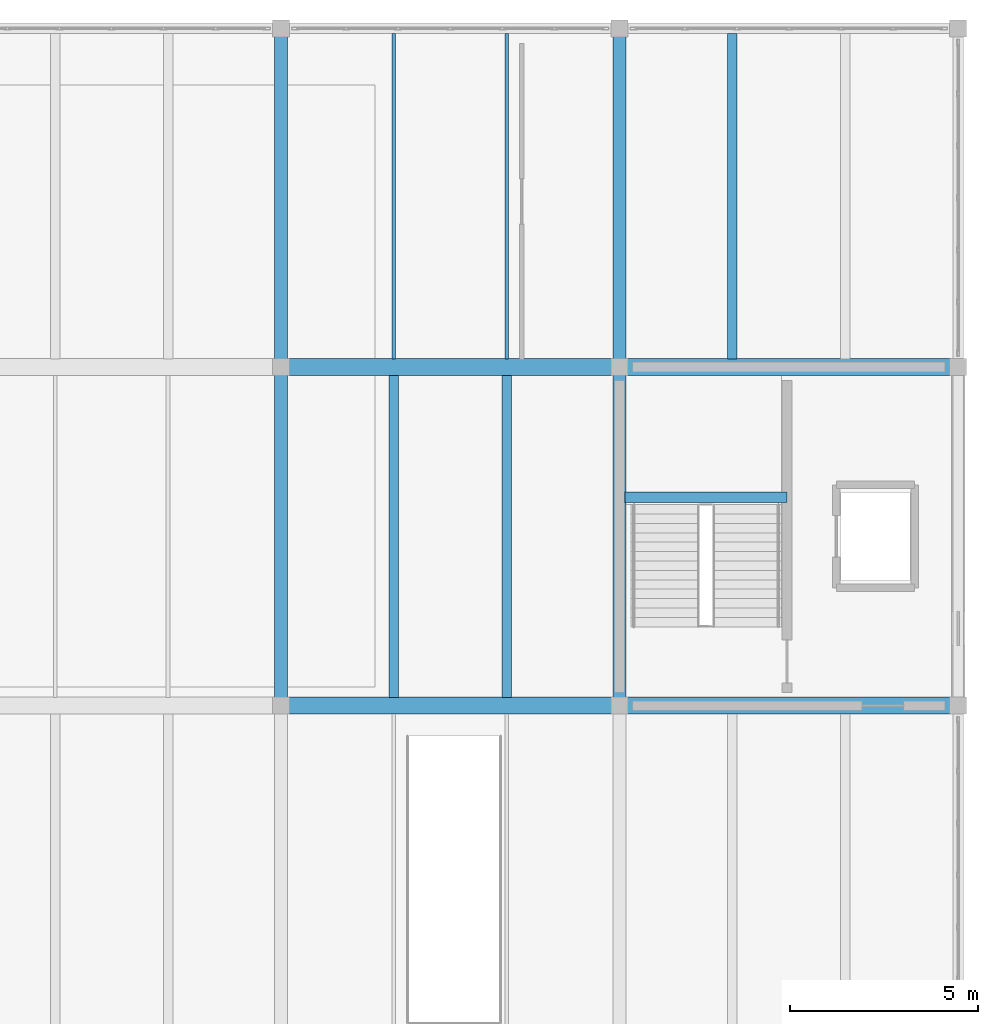
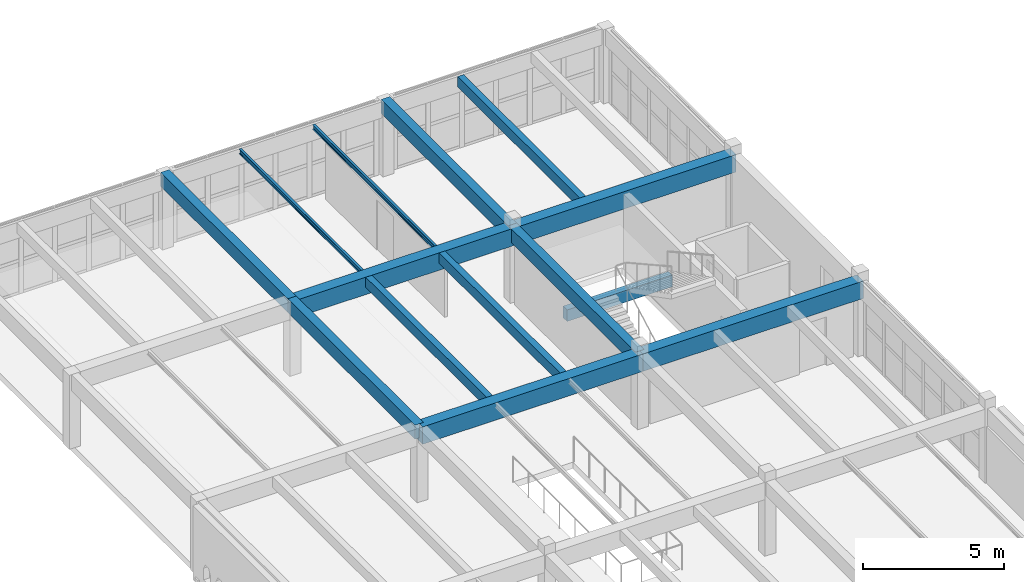
# One storey, part 49 of 80: 14 beams.
"""IFC4 building model written with IfcOpenShell, lengths in metres."""

from ifc_helpers import new_model, si_unit, direction, frame, origin, origin_2d, place, context, subcontext, project, spatial, rectangle, i_section, extrude, material, material_profile, profile_set, type_object, element, save


model = new_model("IFC4")

# Units and contexts
model_context = context("Model", 3, precision=1e-05, world=origin(), true_north=direction((0.0, 1.0)))
body_context = subcontext(model_context, "Body", "Model", "MODEL_VIEW")
ifc_project = project(units=[si_unit("LENGTHUNIT", "METRE"), si_unit("AREAUNIT", "SQUARE_METRE"), si_unit("VOLUMEUNIT", "CUBIC_METRE"), si_unit("PLANEANGLEUNIT", "RADIAN"), si_unit("MASSUNIT", "GRAM", prefix="KILO")], contexts=[model_context])

# Site, building, storey
site_placement = place(None, origin())
site = spatial("IfcSite", under=ifc_project, at=site_placement, CompositionType="ELEMENT")
building_placement = place(site_placement, origin())
building = spatial("IfcBuilding", under=site, at=building_placement, Name="Ornek Quay Market", CompositionType="ELEMENT")
storey_placement = place(building_placement, frame((0.0, 0.0, 8.39990234375)))
storey = spatial("IfcBuildingStorey", under=building, at=storey_placement, Name="L02", CompositionType="ELEMENT", Elevation=8.39990234375)

# Beams
ifc_material_1 = material(Name="Concrete C40/50", Category="concrete")
ifc_material_profile_1 = material_profile(ifc_material_1, rectangle(XDim=0.449951171875, YDim=0.75, at=origin_2d()), Name="RC 450x750", Category="concrete")
ifc_profile_set_1 = profile_set([ifc_material_profile_1], Name="Concrete C40/50")
beam_type_1 = type_object("IfcBeamType", Name="BM-FC-450x750", PredefinedType="BEAM", material=ifc_profile_set_1)
for number, where, z_axis, x_axis, name in (
    (1, (162.0, 92.0, 2.8251953125), (1.0, 0.0, 0.0), (0.0, 1.0, 0.0), "Primary beam B-FC1-066"),
    (2, (171.0, 92.0, 2.8251953125), (1.0, 0.0, 0.0), (0.0, 1.0, 0.0), "Primary beam B-FC1-067"),
    (3, (162.0, 101.0, 2.8251953125), (1.0, 0.0, 0.0), (0.0, 1.0, 0.0), "Primary beam B-FC1-069"),
    (4, (171.0, 101.0, 2.8251953125), (1.0, 0.0, 0.0), (0.0, 1.0, 0.0), "Primary beam B-FC1-070"),
):
    element("IfcBeam", number, at=place(storey_placement, frame(where, z_axis=z_axis, x_axis=x_axis)), inside=storey, type_object=beam_type_1, Name=name, PredefinedType="BEAM", context=body_context, shape_type="SweptSolid", body=[
        extrude(rectangle(XDim=0.449951171875, YDim=0.75, at=origin_2d()), origin(), (0.0, 0.0, 1.0), 9.0),
    ])
ifc_material_2 = material(Name="Concrete C35/45", Category="concrete")
ifc_material_profile_2 = material_profile(ifc_material_2, rectangle(XDim=0.35009765625, YDim=0.60009765625, at=origin_2d()), Name="RC 350x600", Category="concrete")
ifc_profile_set_2 = profile_set([ifc_material_profile_2], Name="Concrete C35/45")
beam_type_2 = type_object("IfcBeamType", Name="BM-RF-350x600", PredefinedType="BEAM", material=ifc_profile_set_2)
for number, where, z_axis, x_axis, name in (
    (5, (162.0, 92.0, 2.900146484375), (0.0, 1.0, 0.0), (-1.0, 0.0, 0.0), "Primary beam B-RF1-024"),
    (6, (162.0, 101.0, 2.900146484375), (0.0, 1.0, 0.0), (-1.0, 0.0, 0.0), "Primary beam B-RF1-025"),
    (7, (171.0, 92.0, 2.900146484375), (0.0, 1.0, 0.0), (-1.0, 0.0, 0.0), "Primary beam B-RF1-029"),
    (8, (171.0, 101.0, 2.900146484375), (0.0, 1.0, 0.0), (-1.0, 0.0, 0.0), "Primary beam B-RF1-030"),
):
    element("IfcBeam", number, at=place(storey_placement, frame(where, z_axis=z_axis, x_axis=x_axis)), inside=storey, type_object=beam_type_2, Name=name, PredefinedType="BEAM", context=body_context, shape_type="SweptSolid", body=[
        extrude(rectangle(XDim=0.35009765625, YDim=0.60009765625, at=origin_2d()), origin(), (0.0, 0.0, 1.0), 9.0),
    ])
ifc_material_profile_3 = material_profile(ifc_material_2, rectangle(XDim=0.25, YDim=0.449951171875, at=origin_2d()), Name="RC 250x450", Category="concrete")
ifc_profile_set_3 = profile_set([ifc_material_profile_3], Name="Concrete C35/45")
beam_type_3 = type_object("IfcBeamType", Name="BM-SEC-250x450", PredefinedType="JOIST", material=ifc_profile_set_3)
for number, where, z_axis, x_axis, name in (
    (9, (165.0, 92.217041015625, 2.97509765625), (0.0, 1.0, 0.0), (-1.0, 0.0, 0.0), "Secondary joist B-SC3-045"),
    (10, (168.0, 92.217041015625, 2.97509765625), (0.0, 1.0, 0.0), (-1.0, 0.0, 0.0), "Secondary joist B-SC3-046"),
):
    element("IfcBeam", number, at=place(storey_placement, frame(where, z_axis=z_axis, x_axis=x_axis)), inside=storey, type_object=beam_type_3, Name=name, PredefinedType="JOIST", context=body_context, shape_type="SweptSolid", body=[
        extrude(rectangle(XDim=0.25, YDim=0.449951171875, at=origin_2d()), origin(), (0.0, 0.0, 1.0), 8.56591796875),
    ])
beam_1_placement = place(storey_placement, frame((174.0, 101.217041015625, 2.97509765625), z_axis=(0.0, 1.0, 0.0), x_axis=(-1.0, 0.0, 0.0)))
element("IfcBeam", 11, at=beam_1_placement, inside=storey, type_object=beam_type_3, Name="Secondary joist B-SC3-051", PredefinedType="JOIST", context=body_context, shape_type="SweptSolid", body=[
    extrude(rectangle(XDim=0.25, YDim=0.449951171875, at=origin_2d()), origin(), (0.0, 0.0, 1.0), 8.65087890625),
])
ifc_material_profile_4 = material_profile(ifc_material_2, rectangle(XDim=0.280029296875, YDim=0.5, at=origin_2d()), Name="RC 280x500", Category="concrete")
ifc_profile_set_4 = profile_set([ifc_material_profile_4], Name="Concrete C35/45")
beam_type_4 = type_object("IfcBeamType", Name="BM-SEC-280x500", PredefinedType="JOIST", material=ifc_profile_set_4)
beam_2_placement = place(storey_placement, frame((171.14990234375, 97.5419921875, 1.385009765625), z_axis=(1.0, 0.0, 0.0), x_axis=(0.0, 1.0, 0.0)))
element("IfcBeam", 12, at=beam_2_placement, inside=storey, type_object=beam_type_4, Name="Stair landing beam BL-12", PredefinedType="JOIST", context=body_context, shape_type="SweptSolid", body=[
    extrude(rectangle(XDim=0.280029296875, YDim=0.5, at=origin_2d()), origin(), (0.0, 0.0, 1.0), 4.300048828125),
])
ifc_material_3 = material(Name="Steel S355", Category="steel")
ifc_material_profile_5 = material_profile(ifc_material_3, i_section(OverallWidth=0.10009765625, OverallDepth=0.199951171875, WebThickness=0.005615234375, FlangeThickness=0.008544921875, FilletRadius=0.011962890625, at=origin_2d()), Name="IPE 200", Category="steel")
ifc_profile_set_5 = profile_set([ifc_material_profile_5], Name="Steel S355")
beam_type_5 = type_object("IfcBeamType", Name="BM-STL-IPE200", PredefinedType="JOIST", material=ifc_profile_set_5)
for number, where, z_axis, x_axis, name in (
    (13, (165.0, 101.217041015625, 3.10009765625), (0.0, 1.0, 0.0), (-1.0, 0.0, 0.0), "Secondary joist SB-02-047"),
    (14, (168.0, 101.217041015625, 3.10009765625), (0.0, 1.0, 0.0), (-1.0, 0.0, 0.0), "Secondary joist SB-02-048"),
):
    element("IfcBeam", number, at=place(storey_placement, frame(where, z_axis=z_axis, x_axis=x_axis)), inside=storey, type_object=beam_type_5, Name=name, PredefinedType="JOIST", context=body_context, shape_type="SweptSolid", body=[
        extrude(i_section(OverallWidth=0.10009765625, OverallDepth=0.199951171875, WebThickness=0.005615234375, FlangeThickness=0.008544921875, FilletRadius=0.011962890625, at=origin_2d()), origin(), (0.0, 0.0, 1.0), 8.65087890625),
    ])

save(model, "model.ifc")
